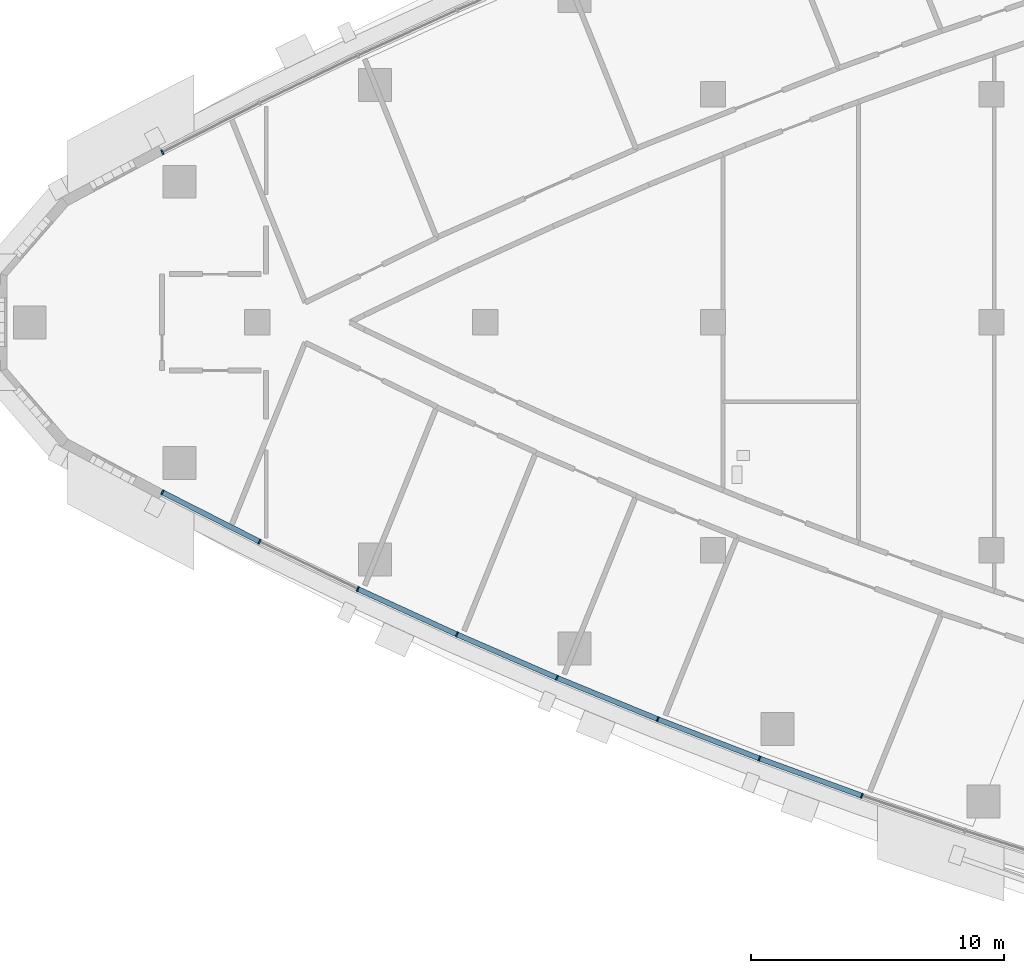
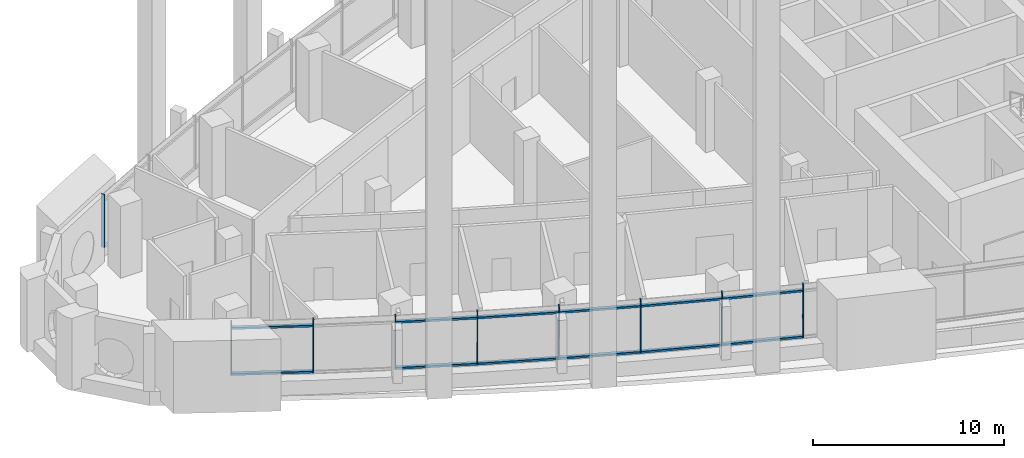
# One storey, part 2 of 19: 21 members, 5 elements without a shape of their own.
"""IFC4 building model written with IfcOpenShell, lengths in metres."""

from ifc_helpers import new_model, si_unit, direction, frame, origin, origin_2d, place, context, subcontext, project, spatial, rectangle, extrude, material, layer, layer_set, material_profile, profile_set, type_object, element, aggregate, save


model = new_model("IFC4")

# Units and contexts
model_context = context("Model", 3, precision=1e-05, world=origin(), true_north=direction((0.0, 1.0)))
body_context = subcontext(model_context, "Body", "Model", "MODEL_VIEW")
ifc_project = project(units=[si_unit("LENGTHUNIT", "METRE"), si_unit("AREAUNIT", "SQUARE_METRE"), si_unit("VOLUMEUNIT", "CUBIC_METRE"), si_unit("PLANEANGLEUNIT", "RADIAN"), si_unit("MASSUNIT", "GRAM", prefix="KILO")], contexts=[model_context])

# Site, building, storey
site_placement = place(None, origin())
site = spatial("IfcSite", under=ifc_project, at=site_placement, CompositionType="ELEMENT")
building_placement = place(site_placement, origin())
building = spatial("IfcBuilding", under=site, at=building_placement, Name="Ostrand Prow Hotel Tower", CompositionType="ELEMENT")
storey_placement = place(building_placement, frame((0.0, 0.0, 170.89990234375)))
storey = spatial("IfcBuildingStorey", under=building, at=storey_placement, Name="L42", CompositionType="ELEMENT", Elevation=170.89990234375)

# Curtain wall, members
ifc_material_1 = material(Name="Insulated glass in bronze anodised frame", Category="glass")
ifc_layer = layer(ifc_material_1, 0.199951171875)
ifc_layer_set = layer_set([ifc_layer], Name="Insulated glass in bronze anodised frame")
curtain_wall_type = type_object("IfcCurtainWallType", Name="Sky lobby full-height curtain wall", PredefinedType="NOTDEFINED", material=ifc_layer_set)
curtain_wall_1_placement = place(storey_placement, origin())
curtain_wall_1 = element("IfcCurtainWall", 1, at=curtain_wall_1_placement, inside=storey, type_object=curtain_wall_type, Name="CW3 run CWS1", PredefinedType="NOTDEFINED")
ifc_material_2 = material(Name="Bronze anodised aluminium", Category="aluminium")
ifc_material_profile_1 = material_profile(ifc_material_2, rectangle(XDim=0.199951171875, YDim=0.06005859375, at=origin_2d()), Name="Mullion 60x200 bronze anodised aluminium")
ifc_profile_set_1 = profile_set([ifc_material_profile_1], Name="Bronze anodised aluminium")
member_type_1 = type_object("IfcMemberType", Name="Mullion 60x200 bronze anodised aluminium", PredefinedType="MULLION", material=ifc_profile_set_1)
member_1_placement = place(storey_placement, frame((12.255859375, -6.71240234375, 0.900146484375), z_axis=(0.0, 0.0, 1.0), x_axis=(0.452658828186, 0.891683792196, 0.0)))
member_1 = element("IfcMember", 2, at=member_1_placement, type_object=member_type_1, Name="CW3 mullion 1", PredefinedType="MULLION", context=body_context, shape_type="SweptSolid", body=[
    extrude(rectangle(XDim=0.199951171875, YDim=0.06005859375, at=origin_2d()), origin(), (0.0, 0.0, 1.0), 3.39990234375),
])
member_2_placement = place(storey_placement, frame((16.0947265625, -8.660888671875, 0.900146484375), z_axis=(0.0, 0.0, 1.0), x_axis=(0.434615027304, 0.90061633232, 0.0)))
member_2 = element("IfcMember", 3, at=member_2_placement, type_object=member_type_1, Name="CW3 mullion 2", PredefinedType="MULLION", context=body_context, shape_type="SweptSolid", body=[
    extrude(rectangle(XDim=0.199951171875, YDim=0.06005859375, at=origin_2d()), origin(), (0.0, 0.0, 1.0), 3.39990234375),
])
member_3_placement = place(storey_placement, frame((19.971923828125, -10.531982421875, 0.900146484375), z_axis=(0.0, 0.0, 1.0), x_axis=(0.434615027304, 0.90061633232, 0.0)))
member_3 = element("IfcMember", 4, at=member_3_placement, type_object=member_type_1, Name="CW3 mullion 3", PredefinedType="MULLION", context=body_context, shape_type="SweptSolid", body=[
    extrude(rectangle(XDim=0.199951171875, YDim=0.06005859375, at=origin_2d()), origin(), (0.0, 0.0, 1.0), 3.39990234375),
])

curtain_wall_2_placement = place(storey_placement, origin())
curtain_wall_2 = element("IfcCurtainWall", 5, at=curtain_wall_2_placement, inside=storey, type_object=curtain_wall_type, Name="CW3 run CWS2", PredefinedType="NOTDEFINED")
member_4_placement = place(storey_placement, frame((23.885986328125, -12.32470703125, 0.900146484375), z_axis=(0.0, 0.0, 1.0), x_axis=(0.398004671812, 0.917383388347, 0.0)))
member_4 = element("IfcMember", 6, at=member_4_placement, type_object=member_type_1, Name="CW3 mullion 2", PredefinedType="MULLION", context=body_context, shape_type="SweptSolid", body=[
    extrude(rectangle(XDim=0.199951171875, YDim=0.06005859375, at=origin_2d()), origin(), (0.0, 0.0, 1.0), 3.39990234375),
])
member_5_placement = place(storey_placement, frame((27.83544921875, -14.0380859375, 0.900146484375), z_axis=(0.0, 0.0, 1.0), x_axis=(0.398004671812, 0.917383388347, 0.0)))
member_5 = element("IfcMember", 7, at=member_5_placement, type_object=member_type_1, Name="CW3 mullion 3", PredefinedType="MULLION", context=body_context, shape_type="SweptSolid", body=[
    extrude(rectangle(XDim=0.199951171875, YDim=0.06005859375, at=origin_2d()), origin(), (0.0, 0.0, 1.0), 3.39990234375),
])

curtain_wall_3_placement = place(storey_placement, origin())
curtain_wall_3 = element("IfcCurtainWall", 8, at=curtain_wall_3_placement, inside=storey, type_object=curtain_wall_type, Name="CW3 run CWS3", PredefinedType="NOTDEFINED")
member_6_placement = place(storey_placement, frame((31.818603515625, -15.671630859375, 0.900146484375), z_axis=(0.0, 0.0, 1.0), x_axis=(0.360748970732, 0.932662950972, 0.0)))
member_6 = element("IfcMember", 9, at=member_6_placement, type_object=member_type_1, Name="CW3 mullion 2", PredefinedType="MULLION", context=body_context, shape_type="SweptSolid", body=[
    extrude(rectangle(XDim=0.199951171875, YDim=0.06005859375, at=origin_2d()), origin(), (0.0, 0.0, 1.0), 3.39990234375),
])
member_7_placement = place(storey_placement, frame((35.833740234375, -17.224609375, 0.900146484375), z_axis=(0.0, 0.0, 1.0), x_axis=(0.360748970732, 0.932662950972, 0.0)))
member_7 = element("IfcMember", 10, at=member_7_placement, type_object=member_type_1, Name="CW3 mullion 3", PredefinedType="MULLION", context=body_context, shape_type="SweptSolid", body=[
    extrude(rectangle(XDim=0.199951171875, YDim=0.06005859375, at=origin_2d()), origin(), (0.0, 0.0, 1.0), 3.39990234375),
])

# Curtain wall, member
curtain_wall_4_placement = place(storey_placement, origin())
curtain_wall_4 = element("IfcCurtainWall", 11, at=curtain_wall_4_placement, inside=storey, type_object=curtain_wall_type, Name="CW3 run CWS4", PredefinedType="NOTDEFINED")
member_8_placement = place(storey_placement, frame((39.87939453125, -18.696533203125, 0.900146484375), z_axis=(0.0, 0.0, 1.0), x_axis=(0.322908332404, 0.946430245113, 0.0)))
member_8 = element("IfcMember", 12, at=member_8_placement, type_object=member_type_1, Name="CW3 mullion 2", PredefinedType="MULLION", context=body_context, shape_type="SweptSolid", body=[
    extrude(rectangle(XDim=0.199951171875, YDim=0.06005859375, at=origin_2d()), origin(), (0.0, 0.0, 1.0), 3.39990234375),
])

curtain_wall_5_placement = place(storey_placement, origin())
curtain_wall_5 = element("IfcCurtainWall", 13, at=curtain_wall_5_placement, inside=storey, type_object=curtain_wall_type, Name="CW3 run CWN5", PredefinedType="NOTDEFINED")
member_9_placement = place(storey_placement, frame((12.255859375, 6.71240234375, 0.900146484375), z_axis=(0.0, 0.0, 1.0), x_axis=(0.452658828186, -0.891683792196, 0.0)))
member_9 = element("IfcMember", 14, at=member_9_placement, type_object=member_type_1, Name="CW3 mullion 3", PredefinedType="MULLION", context=body_context, shape_type="SweptSolid", body=[
    extrude(rectangle(XDim=0.199951171875, YDim=0.06005859375, at=origin_2d()), origin(), (0.0, 0.0, 1.0), 3.39990234375),
])
aggregate(curtain_wall_5, [member_9])

# Member
ifc_material_3 = material(Name="Bronze anodised aluminium", Category="aluminium")
ifc_material_profile_2 = material_profile(ifc_material_3, rectangle(XDim=0.199951171875, YDim=0.1201171875, at=origin_2d()), Name="Transom 120x200 bronze anodised aluminium")
ifc_profile_set_2 = profile_set([ifc_material_profile_2], Name="Bronze anodised aluminium")
member_type_2 = type_object("IfcMemberType", Name="Transom 120x200 bronze anodised aluminium", PredefinedType="USERDEFINED", material=ifc_profile_set_2)
member_10_placement = place(storey_placement, frame((12.28271484375, -6.725830078125, 0.960205078125), z_axis=(0.891672840777, -0.452680400526, 0.0), x_axis=(0.452680400526, 0.891672840777, 0.0)))
member_10 = element("IfcMember", 15, at=member_10_placement, type_object=member_type_2, Name="CW3 transom 1.1", ObjectType="TRANSOM", PredefinedType="USERDEFINED", context=body_context, shape_type="SweptSolid", body=[
    extrude(rectangle(XDim=0.199951171875, YDim=0.1201171875, at=origin_2d()), origin(), (0.0, 0.0, 1.0), 4.2451171875),
])

member_11_placement = place(storey_placement, frame((12.28271484375, -6.725830078125, 3.900146484375), z_axis=(0.891672840777, -0.452680400526, 0.0), x_axis=(0.452680400526, 0.891672840777, 0.0)))
member_11 = element("IfcMember", 16, at=member_11_placement, type_object=member_type_2, Name="CW3 transom 1.2", ObjectType="TRANSOM", PredefinedType="USERDEFINED", context=body_context, shape_type="SweptSolid", body=[
    extrude(rectangle(XDim=0.199951171875, YDim=0.1201171875, at=origin_2d()), origin(), (0.0, 0.0, 1.0), 4.2451171875),
])

aggregate(curtain_wall_1, [member_1, member_2, member_3, member_10, member_11])

member_12_placement = place(storey_placement, frame((19.999267578125, -10.54443359375, 0.960205078125), z_axis=(0.909159196143, -0.416448743628, 0.0), x_axis=(0.416448743628, 0.909159196143, 0.0)))
member_12 = element("IfcMember", 17, at=member_12_placement, type_object=member_type_2, Name="CW3 transom 1.1", ObjectType="TRANSOM", PredefinedType="USERDEFINED", context=body_context, shape_type="SweptSolid", body=[
    extrude(rectangle(XDim=0.199951171875, YDim=0.1201171875, at=origin_2d()), origin(), (0.0, 0.0, 1.0), 4.244873046875),
])

member_13_placement = place(storey_placement, frame((19.999267578125, -10.54443359375, 3.900146484375), z_axis=(0.909159196143, -0.416448743628, 0.0), x_axis=(0.416448743628, 0.909159196143, 0.0)))
member_13 = element("IfcMember", 18, at=member_13_placement, type_object=member_type_2, Name="CW3 transom 1.2", ObjectType="TRANSOM", PredefinedType="USERDEFINED", context=body_context, shape_type="SweptSolid", body=[
    extrude(rectangle(XDim=0.199951171875, YDim=0.1201171875, at=origin_2d()), origin(), (0.0, 0.0, 1.0), 4.244873046875),
])

member_14_placement = place(storey_placement, frame((23.91357421875, -12.336669921875, 0.960205078125), z_axis=(0.917389785482, -0.397989926371, 0.0), x_axis=(0.397989926371, 0.917389785482, 0.0)))
member_14 = element("IfcMember", 19, at=member_14_placement, type_object=member_type_2, Name="CW3 transom 2.1", ObjectType="TRANSOM", PredefinedType="USERDEFINED", context=body_context, shape_type="SweptSolid", body=[
    extrude(rectangle(XDim=0.199951171875, YDim=0.1201171875, at=origin_2d()), origin(), (0.0, 0.0, 1.0), 4.244873046875),
])

member_15_placement = place(storey_placement, frame((23.91357421875, -12.336669921875, 3.900146484375), z_axis=(0.917389785482, -0.397989926371, 0.0), x_axis=(0.397989926371, 0.917389785482, 0.0)))
member_15 = element("IfcMember", 20, at=member_15_placement, type_object=member_type_2, Name="CW3 transom 2.2", ObjectType="TRANSOM", PredefinedType="USERDEFINED", context=body_context, shape_type="SweptSolid", body=[
    extrude(rectangle(XDim=0.199951171875, YDim=0.1201171875, at=origin_2d()), origin(), (0.0, 0.0, 1.0), 4.244873046875),
])

aggregate(curtain_wall_2, [member_4, member_5, member_12, member_13, member_14, member_15])

member_16_placement = place(storey_placement, frame((27.863037109375, -14.049560546875, 0.960205078125), z_axis=(0.925213143858, -0.379447807258, 0.0), x_axis=(0.379447807258, 0.925213143858, 0.0)))
member_16 = element("IfcMember", 21, at=member_16_placement, type_object=member_type_2, Name="CW3 transom 1.1", ObjectType="TRANSOM", PredefinedType="USERDEFINED", context=body_context, shape_type="SweptSolid", body=[
    extrude(rectangle(XDim=0.199951171875, YDim=0.1201171875, at=origin_2d()), origin(), (0.0, 0.0, 1.0), 4.2451171875),
])

member_17_placement = place(storey_placement, frame((27.863037109375, -14.049560546875, 3.900146484375), z_axis=(0.925213143858, -0.379447807258, 0.0), x_axis=(0.379447807258, 0.925213143858, 0.0)))
member_17 = element("IfcMember", 22, at=member_17_placement, type_object=member_type_2, Name="CW3 transom 1.2", ObjectType="TRANSOM", PredefinedType="USERDEFINED", context=body_context, shape_type="SweptSolid", body=[
    extrude(rectangle(XDim=0.199951171875, YDim=0.1201171875, at=origin_2d()), origin(), (0.0, 0.0, 1.0), 4.2451171875),
])

member_18_placement = place(storey_placement, frame((31.846435546875, -15.6826171875, 0.960205078125), z_axis=(0.932675482501, -0.360716570651, 0.0), x_axis=(0.360716570651, 0.932675482501, 0.0)))
member_18 = element("IfcMember", 23, at=member_18_placement, type_object=member_type_2, Name="CW3 transom 2.1", ObjectType="TRANSOM", PredefinedType="USERDEFINED", context=body_context, shape_type="SweptSolid", body=[
    extrude(rectangle(XDim=0.199951171875, YDim=0.1201171875, at=origin_2d()), origin(), (0.0, 0.0, 1.0), 4.2451171875),
])

member_19_placement = place(storey_placement, frame((31.846435546875, -15.6826171875, 3.900146484375), z_axis=(0.932675482501, -0.360716570651, 0.0), x_axis=(0.360716570651, 0.932675482501, 0.0)))
member_19 = element("IfcMember", 24, at=member_19_placement, type_object=member_type_2, Name="CW3 transom 2.2", ObjectType="TRANSOM", PredefinedType="USERDEFINED", context=body_context, shape_type="SweptSolid", body=[
    extrude(rectangle(XDim=0.199951171875, YDim=0.1201171875, at=origin_2d()), origin(), (0.0, 0.0, 1.0), 4.2451171875),
])

aggregate(curtain_wall_3, [member_6, member_7, member_16, member_17, member_18, member_19])

member_20_placement = place(storey_placement, frame((35.86181640625, -17.235107421875, 0.960205078125), z_axis=(0.939753116272, -0.341853887584, 0.0), x_axis=(0.341853887584, 0.939753116272, 0.0)))
member_20 = element("IfcMember", 25, at=member_20_placement, type_object=member_type_2, Name="CW3 transom 1.1", ObjectType="TRANSOM", PredefinedType="USERDEFINED", context=body_context, shape_type="SweptSolid", body=[
    extrude(rectangle(XDim=0.199951171875, YDim=0.1201171875, at=origin_2d()), origin(), (0.0, 0.0, 1.0), 4.2451171875),
])

member_21_placement = place(storey_placement, frame((35.86181640625, -17.235107421875, 3.900146484375), z_axis=(0.939753116272, -0.341853887584, 0.0), x_axis=(0.341853887584, 0.939753116272, 0.0)))
member_21 = element("IfcMember", 26, at=member_21_placement, type_object=member_type_2, Name="CW3 transom 1.2", ObjectType="TRANSOM", PredefinedType="USERDEFINED", context=body_context, shape_type="SweptSolid", body=[
    extrude(rectangle(XDim=0.199951171875, YDim=0.1201171875, at=origin_2d()), origin(), (0.0, 0.0, 1.0), 4.2451171875),
])

aggregate(curtain_wall_4, [member_8, member_20, member_21])

save(model, "model.ifc")
